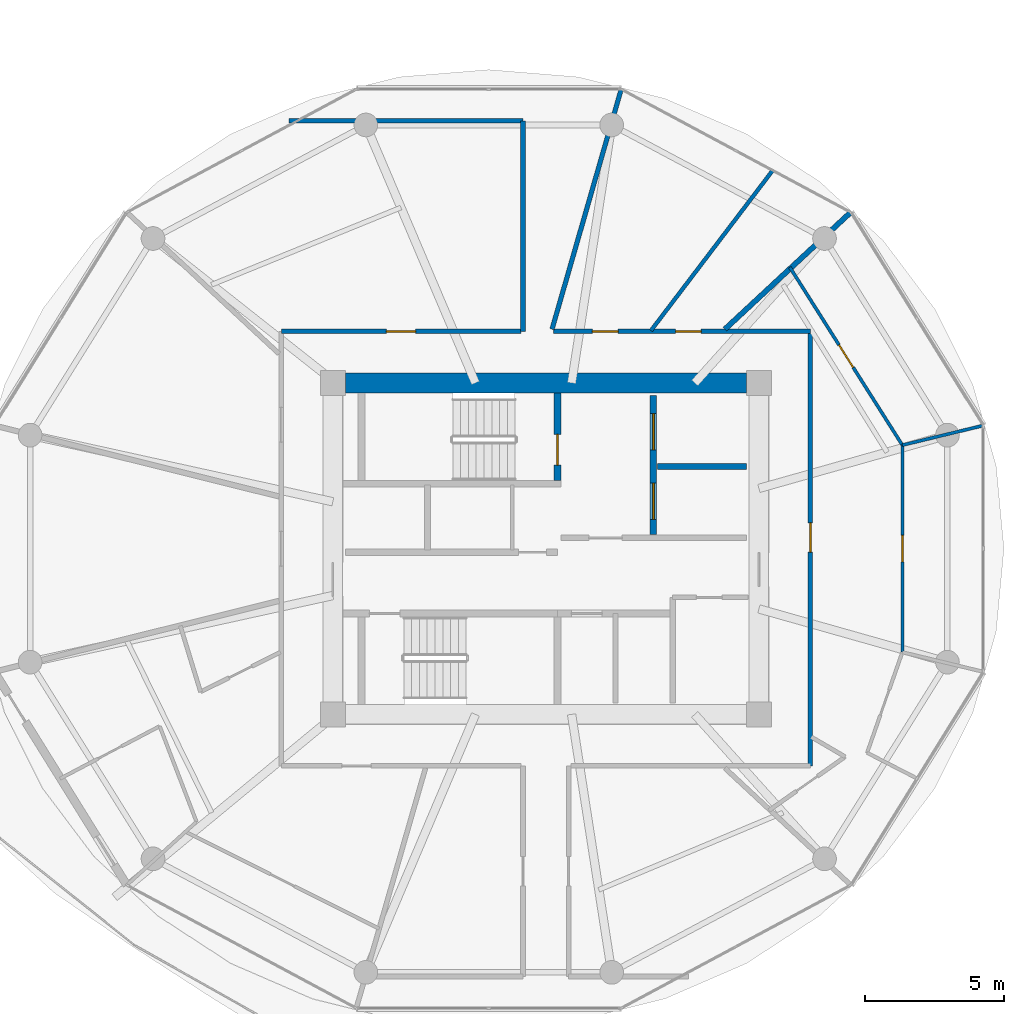
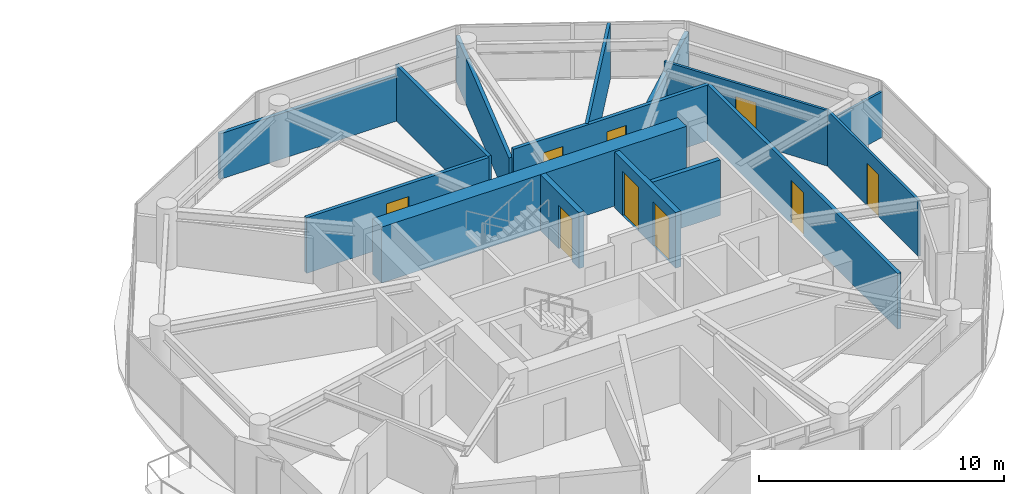
# One storey, part 19 of 23: 15 walls, 9 doors, 9 openings.
"""IFC4 building model written with IfcOpenShell, lengths in metres."""

from ifc_helpers import new_model, si_unit, direction, frame, frame_2d, origin, place, context, subcontext, project, spatial, rectangle, extrude, source, transform, mapped, material, layer, layer_set, type_object, type_shapes, element, fill, save


model = new_model("IFC4")

# Units and contexts
model_context = context("Model", 3, precision=1e-05, world=origin(), true_north=direction((0.0, 1.0)))
body_context = subcontext(model_context, "Body", "Model", "MODEL_VIEW")
ifc_project = project(units=[si_unit("LENGTHUNIT", "METRE"), si_unit("AREAUNIT", "SQUARE_METRE"), si_unit("VOLUMEUNIT", "CUBIC_METRE"), si_unit("PLANEANGLEUNIT", "RADIAN"), si_unit("MASSUNIT", "GRAM", prefix="KILO")], contexts=[model_context])

# Site, building, storey
site_placement = place(None, origin())
site = spatial("IfcSite", under=ifc_project, at=site_placement, CompositionType="ELEMENT")
building_placement = place(site_placement, origin())
building = spatial("IfcBuilding", under=site, at=building_placement, Name="Norrkilde Senior Care Towers", CompositionType="ELEMENT")
storey_placement = place(building_placement, frame((0.0, 0.0, 81.0)))
storey = spatial("IfcBuildingStorey", under=building, at=storey_placement, Name="L24", CompositionType="ELEMENT", Elevation=81.0)

# Wall
ifc_material_1 = material(Name="Concrete C60/75", Category="concrete")
ifc_layer_1 = layer(ifc_material_1, 0.719970703125)
ifc_layer_set_1 = layer_set([ifc_layer_1], Name="Concrete C60/75")
wall_type_1 = type_object("IfcWallType", Name="Core Shear Wall Z2 720", PredefinedType="SHEAR", material=ifc_layer_set_1)
shared_shape_1 = source(origin(), body_context, "Body", "SweptSolid", [
    extrude(rectangle(XDim=14.39990234375, YDim=0.719970703125, at=frame_2d((7.199951171875, 0.0))), origin(), (0.0, 0.0, 1.0), 2.7900390625),
])
type_shapes(wall_type_1, [shared_shape_1])
wall_1_placement = place(storey_placement, frame((20.800048828125, 5.949951171875, 0.0), z_axis=(0.0, 0.0, 1.0), x_axis=(1.0, 0.0, 0.0)))
element("IfcWall", 1, at=wall_1_placement, inside=storey, type_object=wall_type_1, Name="L24 Core E North Shear Wall", PredefinedType="SHEAR", context=body_context, shape_type="MappedRepresentation", body=[
    mapped(shared_shape_1, transform((0.0, 0.0, 0.0), x_axis=(1.0, 0.0, 0.0), y_axis=(0.0, 1.0, 0.0), z_axis=(0.0, 0.0, 1.0), scale=1.0)),
])

# Wall, openings, doors
ifc_material_2 = material(Name="Concrete C45/55", Category="concrete")
ifc_layer_2 = layer(ifc_material_2, 0.239990234375)
ifc_layer_set_2 = layer_set([ifc_layer_2], Name="Concrete C45/55")
wall_type_2 = type_object("IfcWallType", Name="Lift and Plant Rated Enclosure Partition 240", PredefinedType="PARTITIONING", material=ifc_layer_set_2)
shared_shape_2 = source(origin(), body_context, "Body", "SweptSolid", [
    extrude(rectangle(XDim=5.0, YDim=0.239990234375, at=frame_2d((2.5, 0.0))), origin(), (0.0, 0.0, 1.0), 2.77490234375),
])
type_shapes(wall_type_2, [shared_shape_2])
wall_2_placement = place(storey_placement, frame((31.860107421875, 0.5, 0.0), z_axis=(0.0, 0.0, 1.0), x_axis=(0.0, 1.0, 0.0)))
wall_2 = element("IfcWall", 2, at=wall_2_placement, inside=storey, type_object=wall_type_2, Name="WL-INT-L24-E-FFLE", PredefinedType="PARTITIONING", context=body_context, shape_type="MappedRepresentation", body=[
    mapped(shared_shape_2, transform((0.0, 0.0, 0.0), x_axis=(1.0, 0.0, 0.0), y_axis=(0.0, 1.0, 0.0), z_axis=(0.0, 0.0, 1.0), scale=1.0)),
])
opening_1_placement = place(wall_2_placement, frame((3.050048828125, 0.0, 0.0)))
opening_1 = element("IfcOpeningElement", 3, at=opening_1_placement, cuts=wall_2, Name="Opening LD-02", PredefinedType="OPENING", context=body_context, shape_type="SweptSolid", body=[
    extrude(rectangle(XDim=1.300048828125, YDim=2.199951171875, at=frame_2d((0.64990234375, 1.10009765625))), frame((0.0, 0.1298828125, 0.0), z_axis=(0.0, -1.0, 0.0), x_axis=(1.0, 0.0, 0.0)), (0.0, 0.0, 1.0), 0.260009765625),
])
opening_2_placement = place(wall_2_placement, frame((0.550048828125, 0.0, 0.0)))
opening_2 = element("IfcOpeningElement", 4, at=opening_2_placement, cuts=wall_2, Name="Opening LD-02", PredefinedType="OPENING", context=body_context, shape_type="SweptSolid", body=[
    extrude(rectangle(XDim=1.300048828125, YDim=2.199951171875, at=frame_2d((0.64990234375, 1.10009765625))), frame((0.0, 0.1298828125, 0.0), z_axis=(0.0, -1.0, 0.0), x_axis=(1.0, 0.0, 0.0)), (0.0, 0.0, 1.0), 0.260009765625),
])
ifc_material_3 = material(Name="Stainless Steel", Category="steel")
door_type_1 = type_object("IfcDoorType", Name="Stretcher and FFL Landing Sliding Door 1300x2200", OperationType="NOTDEFINED", PredefinedType="DOOR", material=ifc_material_3)
shared_shape_3 = source(origin(), body_context, "Body", "SweptSolid", [
    extrude(rectangle(XDim=1.300048828125, YDim=2.199951171875, at=frame_2d((0.64990234375, 1.10009765625))), frame((0.0, 0.02490234375, 0.0), z_axis=(0.0, -1.0, 0.0), x_axis=(1.0, 0.0, 0.0)), (0.0, 0.0, 1.0), 0.050048828125),
])
type_shapes(door_type_1, [shared_shape_3])
door_1_placement = place(opening_1_placement, origin())
door_1 = element("IfcDoor", 5, at=door_1_placement, inside=storey, type_object=door_type_1, Name="L24 Firefighting Lift E1 Landing Door", OperationType="SLIDING_TO_LEFT", OverallHeight=2.199951171875, OverallWidth=1.300048828125, PredefinedType="DOOR", context=body_context, shape_type="MappedRepresentation", body=[
    mapped(shared_shape_3, transform((0.0, 0.0, 0.0), x_axis=(1.0, 0.0, 0.0), y_axis=(0.0, 1.0, 0.0), z_axis=(0.0, 0.0, 1.0), scale=1.0)),
])
fill(opening_1, door_1)
door_2_placement = place(opening_2_placement, origin())
door_2 = element("IfcDoor", 6, at=door_2_placement, inside=storey, type_object=door_type_1, Name="L24 Stretcher Lift E1 Landing Door", OperationType="SLIDING_TO_RIGHT", OverallHeight=2.199951171875, OverallWidth=1.300048828125, PredefinedType="DOOR", context=body_context, shape_type="MappedRepresentation", body=[
    mapped(shared_shape_3, transform((0.0, 0.0, 0.0), x_axis=(1.0, 0.0, 0.0), y_axis=(0.0, 1.0, 0.0), z_axis=(0.0, 0.0, 1.0), scale=1.0)),
])
fill(opening_2, door_2)

# Wall
ifc_layer_3 = layer(ifc_material_2, 0.199951171875)
ifc_layer_set_3 = layer_set([ifc_layer_3], Name="Concrete C45/55")
wall_type_3 = type_object("IfcWallType", Name="Shaft Division and Plant Partition 200", PredefinedType="PARTITIONING", material=ifc_layer_set_3)
shared_shape_4 = source(origin(), body_context, "Body", "SweptSolid", [
    extrude(rectangle(XDim=3.199951171875, YDim=0.199951171875, at=frame_2d((1.60009765625, 0.0))), origin(), (0.0, 0.0, 1.0), 2.77490234375),
])
type_shapes(wall_type_3, [shared_shape_4])
wall_3_placement = place(storey_placement, frame((32.0, 2.949951171875, 0.0), z_axis=(0.0, 0.0, 1.0), x_axis=(1.0, 0.0, 0.0)))
element("IfcWall", 7, at=wall_3_placement, inside=storey, type_object=wall_type_3, Name="WL-INT-L24-E-FFLDIV", PredefinedType="PARTITIONING", context=body_context, shape_type="MappedRepresentation", body=[
    mapped(shared_shape_4, transform((0.0, 0.0, 0.0), x_axis=(1.0, 0.0, 0.0), y_axis=(0.0, 1.0, 0.0), z_axis=(0.0, 0.0, 1.0), scale=1.0)),
])

# Wall, opening, door
ifc_material_4 = material(Name="Gypsum Acoustic Board")
ifc_layer_4 = layer(ifc_material_4, 0.1650390625)
ifc_layer_set_4 = layer_set([ifc_layer_4], Name="Gypsum Acoustic Board")
wall_type_4 = type_object("IfcWallType", Name="Corridor Rated Partition 165", PredefinedType="PARTITIONING", material=ifc_layer_set_4)
shared_shape_5 = source(origin(), body_context, "Body", "SweptSolid", [
    extrude(rectangle(XDim=15.60009765625, YDim=0.1650390625, at=frame_2d((7.800048828125, 0.0))), origin(), (0.0, 0.0, 1.0), 2.77490234375),
])
wall_4_placement = place(storey_placement, frame((37.5, 7.800048828125, 0.0), z_axis=(0.0, 0.0, 1.0), x_axis=(0.0, -1.0, 0.0)))
wall_4 = element("IfcWall", 8, at=wall_4_placement, inside=storey, type_object=wall_type_4, Name="WL-INT-L24-E-CRW-E-0", PredefinedType="PARTITIONING", context=body_context, shape_type="MappedRepresentation", body=[
    mapped(shared_shape_5, transform((0.0, 0.0, 0.0), x_axis=(1.0, 0.0, 0.0), y_axis=(0.0, 1.0, 0.0), z_axis=(0.0, 0.0, 1.0), scale=1.0)),
])
opening_3_placement = place(wall_4_placement, frame((6.86962890625, 0.0, 0.0)))
opening_3 = element("IfcOpeningElement", 9, at=opening_3_placement, cuts=wall_4, Name="Opening D-06", PredefinedType="OPENING", context=body_context, shape_type="SweptSolid", body=[
    extrude(rectangle(XDim=1.050048828125, YDim=2.14990234375, at=frame_2d((0.52490234375, 1.074951171875))), frame((0.0, 0.092529296875, 0.0), z_axis=(0.0, -1.0, 0.0), x_axis=(1.0, 0.0, 0.0)), (0.0, 0.0, 1.0), 0.18505859375),
])
ifc_material_5 = material(Name="Nordic Ash Timber", Category="wood")
door_type_2 = type_object("IfcDoorType", Name="Apartment Entrance Fire Door 1050x2150", OperationType="NOTDEFINED", PredefinedType="DOOR", material=ifc_material_5)
shared_shape_6 = source(origin(), body_context, "Body", "SweptSolid", [
    extrude(rectangle(XDim=1.050048828125, YDim=2.14990234375, at=frame_2d((0.52490234375, 1.074951171875))), frame((0.0, 0.02490234375, 0.0), z_axis=(0.0, -1.0, 0.0), x_axis=(1.0, 0.0, 0.0)), (0.0, 0.0, 1.0), 0.050048828125),
])
type_shapes(door_type_2, [shared_shape_6])
door_3_placement = place(opening_3_placement, frame((1.050048828125, 0.0, 0.0), z_axis=(0.0, 0.0, 1.0), x_axis=(-1.0, 0.0, 0.0)))
door_3 = element("IfcDoor", 10, at=door_3_placement, inside=storey, type_object=door_type_2, Name="Apartment 24D Entrance Door", OperationType="SINGLE_SWING_LEFT", OverallHeight=2.14990234375, OverallWidth=1.050048828125, PredefinedType="DOOR", context=body_context, shape_type="MappedRepresentation", body=[
    mapped(shared_shape_6, transform((0.0, 0.0, 0.0), x_axis=(1.0, 0.0, 0.0), y_axis=(0.0, 1.0, 0.0), z_axis=(0.0, 0.0, 1.0), scale=1.0)),
])
fill(opening_3, door_3)

ifc_layer_5 = layer(ifc_material_2, 0.239990234375)
ifc_layer_set_5 = layer_set([ifc_layer_5], Name="Concrete C45/55")
wall_type_5 = type_object("IfcWallType", Name="Shaft and Stair Enclosure Wall 240", PredefinedType="PARTITIONING", material=ifc_layer_set_5)
shared_shape_7 = source(origin(), body_context, "Body", "SweptSolid", [
    extrude(rectangle(XDim=3.14013671875, YDim=0.239990234375, at=frame_2d((1.570068359375, 0.0))), origin(), (0.0, 0.0, 1.0), 2.7900390625),
])
type_shapes(wall_type_5, [shared_shape_7])
wall_5_placement = place(storey_placement, frame((28.419921875, 2.449951171875, 0.0), z_axis=(0.0, 0.0, 1.0), x_axis=(0.0, 1.0, 0.0)))
wall_5 = element("IfcWall", 11, at=wall_5_placement, inside=storey, type_object=wall_type_5, Name="WL-INT-L24-E-ST1E", PredefinedType="PARTITIONING", context=body_context, shape_type="MappedRepresentation", body=[
    mapped(shared_shape_7, transform((0.0, 0.0, 0.0), x_axis=(1.0, 0.0, 0.0), y_axis=(0.0, 1.0, 0.0), z_axis=(0.0, 0.0, 1.0), scale=1.0)),
])
opening_4_placement = place(wall_5_placement, frame((0.550048828125, 0.0, 0.0)))
opening_4 = element("IfcOpeningElement", 12, at=opening_4_placement, cuts=wall_5, Name="Opening D-03", PredefinedType="OPENING", context=body_context, shape_type="SweptSolid", body=[
    extrude(rectangle(XDim=1.10009765625, YDim=2.14990234375, at=frame_2d((0.550048828125, 1.074951171875))), frame((0.0, 0.1298828125, 0.0), z_axis=(0.0, -1.0, 0.0), x_axis=(1.0, 0.0, 0.0)), (0.0, 0.0, 1.0), 0.260009765625),
])
ifc_material_6 = material(Name="Galvanised Painted Steel", Category="steel")
door_type_3 = type_object("IfcDoorType", Name="Stairwell Protected Fire Door 1100x2150", OperationType="NOTDEFINED", PredefinedType="DOOR", material=ifc_material_6)
shared_shape_8 = source(origin(), body_context, "Body", "SweptSolid", [
    extrude(rectangle(XDim=1.10009765625, YDim=2.14990234375, at=frame_2d((0.550048828125, 1.074951171875))), frame((0.0, 0.02490234375, 0.0), z_axis=(0.0, -1.0, 0.0), x_axis=(1.0, 0.0, 0.0)), (0.0, 0.0, 1.0), 0.050048828125),
])
type_shapes(door_type_3, [shared_shape_8])
door_4_placement = place(opening_4_placement, origin())
door_4 = element("IfcDoor", 13, at=door_4_placement, inside=storey, type_object=door_type_3, Name="L24 Stair E1 Fire Door", OperationType="SINGLE_SWING_LEFT", OverallHeight=2.14990234375, OverallWidth=1.10009765625, PredefinedType="DOOR", context=body_context, shape_type="MappedRepresentation", body=[
    mapped(shared_shape_8, transform((0.0, 0.0, 0.0), x_axis=(1.0, 0.0, 0.0), y_axis=(0.0, 1.0, 0.0), z_axis=(0.0, 0.0, 1.0), scale=1.0)),
])
fill(opening_4, door_4)

shared_shape_9 = source(origin(), body_context, "Body", "SweptSolid", [
    extrude(rectangle(XDim=8.60009765625, YDim=0.1650390625, at=frame_2d((4.300048828125, 0.0))), origin(), (0.0, 0.0, 1.0), 2.77490234375),
])
wall_6_placement = place(storey_placement, frame((18.5, 7.800048828125, 0.0), z_axis=(0.0, 0.0, 1.0), x_axis=(1.0, 0.0, 0.0)))
wall_6 = element("IfcWall", 14, at=wall_6_placement, inside=storey, type_object=wall_type_4, Name="WL-INT-L24-E-CRW-N-0", PredefinedType="PARTITIONING", context=body_context, shape_type="MappedRepresentation", body=[
    mapped(shared_shape_9, transform((0.0, 0.0, 0.0), x_axis=(1.0, 0.0, 0.0), y_axis=(0.0, 1.0, 0.0), z_axis=(0.0, 0.0, 1.0), scale=1.0)),
])
opening_5_placement = place(wall_6_placement, frame((3.77490234375, 0.0, 0.0)))
opening_5 = element("IfcOpeningElement", 15, at=opening_5_placement, cuts=wall_6, Name="Opening D-06", PredefinedType="OPENING", context=body_context, shape_type="SweptSolid", body=[
    extrude(rectangle(XDim=1.050048828125, YDim=2.14990234375, at=frame_2d((0.52490234375, 1.074951171875))), frame((0.0, 0.092529296875, 0.0), z_axis=(0.0, -1.0, 0.0), x_axis=(1.0, 0.0, 0.0)), (0.0, 0.0, 1.0), 0.18505859375),
])
door_5_placement = place(opening_5_placement, frame((1.050048828125, 0.0, 0.0), z_axis=(0.0, 0.0, 1.0), x_axis=(-1.0, 0.0, 0.0)))
door_5 = element("IfcDoor", 16, at=door_5_placement, inside=storey, type_object=door_type_2, Name="L24 Reading Lounge NWL Door", OperationType="SINGLE_SWING_RIGHT", OverallHeight=2.14990234375, OverallWidth=1.050048828125, PredefinedType="DOOR", context=body_context, shape_type="MappedRepresentation", body=[
    mapped(shared_shape_6, transform((0.0, 0.0, 0.0), x_axis=(1.0, 0.0, 0.0), y_axis=(0.0, 1.0, 0.0), z_axis=(0.0, 0.0, 1.0), scale=1.0)),
])
fill(opening_5, door_5)

# Wall, openings, doors
shared_shape_10 = source(origin(), body_context, "Body", "SweptSolid", [
    extrude(rectangle(XDim=9.234130859375, YDim=0.1650390625, at=frame_2d((4.6171875, 0.0))), origin(), (0.0, 0.0, 1.0), 2.77490234375),
])
wall_7_placement = place(storey_placement, frame((28.265869140625, 7.800048828125, 0.0), z_axis=(0.0, 0.0, 1.0), x_axis=(1.0, 0.0, 0.0)))
wall_7 = element("IfcWall", 17, at=wall_7_placement, inside=storey, type_object=wall_type_4, Name="WL-INT-L24-E-CRW-N-1", PredefinedType="PARTITIONING", context=body_context, shape_type="MappedRepresentation", body=[
    mapped(shared_shape_10, transform((0.0, 0.0, 0.0), x_axis=(1.0, 0.0, 0.0), y_axis=(0.0, 1.0, 0.0), z_axis=(0.0, 0.0, 1.0), scale=1.0)),
])
opening_6_placement = place(wall_7_placement, frame((4.39208984375, 0.0, 0.0)))
opening_6 = element("IfcOpeningElement", 18, at=opening_6_placement, cuts=wall_7, Name="Opening D-08", PredefinedType="OPENING", context=body_context, shape_type="SweptSolid", body=[
    extrude(rectangle(XDim=0.919921875, YDim=2.10009765625, at=frame_2d((0.4599609375, 1.050048828125))), frame((0.0, 0.092529296875, 0.0), z_axis=(0.0, -1.0, 0.0), x_axis=(1.0, 0.0, 0.0)), (0.0, 0.0, 1.0), 0.18505859375),
])
opening_7_placement = place(wall_7_placement, frame((1.407958984375, 0.0, 0.0)))
opening_7 = element("IfcOpeningElement", 19, at=opening_7_placement, cuts=wall_7, Name="Opening D-08", PredefinedType="OPENING", context=body_context, shape_type="SweptSolid", body=[
    extrude(rectangle(XDim=0.919921875, YDim=2.10009765625, at=frame_2d((0.4599609375, 1.050048828125))), frame((0.0, 0.092529296875, 0.0), z_axis=(0.0, -1.0, 0.0), x_axis=(1.0, 0.0, 0.0)), (0.0, 0.0, 1.0), 0.18505859375),
])
door_type_4 = type_object("IfcDoorType", Name="Accessible Wet Room Door 920x2100", OperationType="NOTDEFINED", PredefinedType="DOOR", material=ifc_material_5)
shared_shape_11 = source(origin(), body_context, "Body", "SweptSolid", [
    extrude(rectangle(XDim=0.919921875, YDim=2.10009765625, at=frame_2d((0.4599609375, 1.050048828125))), frame((0.0, 0.02490234375, 0.0), z_axis=(0.0, -1.0, 0.0), x_axis=(1.0, 0.0, 0.0)), (0.0, 0.0, 1.0), 0.050048828125),
])
type_shapes(door_type_4, [shared_shape_11])
door_6_placement = place(opening_6_placement, frame((0.919921875, 0.0, 0.0), z_axis=(0.0, 0.0, 1.0), x_axis=(-1.0, 0.0, 0.0)))
door_6 = element("IfcDoor", 20, at=door_6_placement, inside=storey, type_object=door_type_4, Name="L24 Accessible Restroom Door", OperationType="SINGLE_SWING_RIGHT", OverallHeight=2.10009765625, OverallWidth=0.919921875, PredefinedType="DOOR", context=body_context, shape_type="MappedRepresentation", body=[
    mapped(shared_shape_11, transform((0.0, 0.0, 0.0), x_axis=(1.0, 0.0, 0.0), y_axis=(0.0, 1.0, 0.0), z_axis=(0.0, 0.0, 1.0), scale=1.0)),
])
fill(opening_6, door_6)
door_7_placement = place(opening_7_placement, frame((0.919921875, 0.0, 0.0), z_axis=(0.0, 0.0, 1.0), x_axis=(-1.0, 0.0, 0.0)))
door_7 = element("IfcDoor", 21, at=door_7_placement, inside=storey, type_object=door_type_4, Name="L24 Public Restroom Door", OperationType="SINGLE_SWING_LEFT", OverallHeight=2.10009765625, OverallWidth=0.919921875, PredefinedType="DOOR", context=body_context, shape_type="MappedRepresentation", body=[
    mapped(shared_shape_11, transform((0.0, 0.0, 0.0), x_axis=(1.0, 0.0, 0.0), y_axis=(0.0, 1.0, 0.0), z_axis=(0.0, 0.0, 1.0), scale=1.0)),
])
fill(opening_7, door_7)

# Walls
shared_shape_12 = source(origin(), body_context, "Body", "SweptSolid", [
    extrude(rectangle(XDim=8.9892578125, YDim=0.1650390625, at=frame_2d((4.49462890625, 0.0))), origin(), (0.0, 0.0, 1.0), 2.27490234375),
])
wall_8_placement = place(storey_placement, frame((28.221923828125, 7.8798828125, 0.0), z_axis=(0.0, 0.0, 1.0), x_axis=(0.27702323008, 0.960863221274, 0.0)))
element("IfcWall", 22, at=wall_8_placement, inside=storey, type_object=wall_type_4, Name="WL-INT-L24-E-DEM-02-0", PredefinedType="PARTITIONING", context=body_context, shape_type="MappedRepresentation", body=[
    mapped(shared_shape_12, transform((0.0, 0.0, 0.0), x_axis=(1.0, 0.0, 0.0), y_axis=(0.0, 1.0, 0.0), z_axis=(0.0, 0.0, 1.0), scale=1.0)),
])
shared_shape_13 = source(origin(), body_context, "Body", "SweptSolid", [
    extrude(rectangle(XDim=7.56005859375, YDim=0.1650390625, at=frame_2d((3.780029296875, 0.0))), origin(), (0.0, 0.0, 1.0), 2.77490234375),
])
wall_9_placement = place(storey_placement, frame((27.179931640625, 7.800048828125, 0.0), z_axis=(0.0, 0.0, 1.0), x_axis=(0.0, 1.0, 0.0)))
element("IfcWall", 23, at=wall_9_placement, inside=storey, type_object=wall_type_4, Name="WL-INT-L24-E-PKW-NWL", PredefinedType="PARTITIONING", context=body_context, shape_type="MappedRepresentation", body=[
    mapped(shared_shape_13, transform((0.0, 0.0, 0.0), x_axis=(1.0, 0.0, 0.0), y_axis=(0.0, 1.0, 0.0), z_axis=(0.0, 0.0, 1.0), scale=1.0)),
])
shared_shape_14 = source(origin(), body_context, "Body", "SweptSolid", [
    extrude(rectangle(XDim=8.406982421875, YDim=0.1650390625, at=frame_2d((4.20361328125, 0.0))), origin(), (0.0, 0.0, 1.0), 2.27490234375),
])
type_shapes(wall_type_4, [shared_shape_5, shared_shape_9, shared_shape_10, shared_shape_12, shared_shape_13, shared_shape_14])
wall_10_placement = place(storey_placement, frame((18.77294921875, 15.360107421875, 0.0), z_axis=(0.0, 0.0, 1.0), x_axis=(1.0, 0.0, 0.0)))
element("IfcWall", 24, at=wall_10_placement, inside=storey, type_object=wall_type_4, Name="WL-INT-L24-E-PKH-NWL-0", PredefinedType="PARTITIONING", context=body_context, shape_type="MappedRepresentation", body=[
    mapped(shared_shape_14, transform((0.0, 0.0, 0.0), x_axis=(1.0, 0.0, 0.0), y_axis=(0.0, 1.0, 0.0), z_axis=(0.0, 0.0, 1.0), scale=1.0)),
])
ifc_layer_6 = layer(ifc_material_4, 0.18994140625)
ifc_layer_set_6 = layer_set([ifc_layer_6], Name="Gypsum Acoustic Board")
wall_type_6 = type_object("IfcWallType", Name="Unit Demising Acoustic Wall 190", PredefinedType="PARTITIONING", material=ifc_layer_set_6)
shared_shape_15 = source(origin(), body_context, "Body", "SweptSolid", [
    extrude(rectangle(XDim=6.186767578125, YDim=0.18994140625, at=frame_2d((3.09326171875, 0.0))), origin(), (0.0, 0.0, 1.0), 2.27490234375),
])
type_shapes(wall_type_6, [shared_shape_15])
wall_11_placement = place(storey_placement, frame((34.428955078125, 7.8798828125, 0.0), z_axis=(0.0, 0.0, 1.0), x_axis=(0.732501077882, 0.680765870841, 0.0)))
element("IfcWall", 25, at=wall_11_placement, inside=storey, type_object=wall_type_6, Name="WL-INT-L24-E-DEM-01-0", PredefinedType="PARTITIONING", context=body_context, shape_type="MappedRepresentation", body=[
    mapped(shared_shape_15, transform((0.0, 0.0, 0.0), x_axis=(1.0, 0.0, 0.0), y_axis=(0.0, 1.0, 0.0), z_axis=(0.0, 0.0, 1.0), scale=1.0)),
])
ifc_layer_7 = layer(ifc_material_4, 0.139892578125)
ifc_layer_set_7 = layer_set([ifc_layer_7], Name="Gypsum Acoustic Board")
wall_type_7 = type_object("IfcWallType", Name="En-suite Wet Room Wall 140", PredefinedType="PARTITIONING", material=ifc_layer_set_7)
shared_shape_16 = source(origin(), body_context, "Body", "SweptSolid", [
    extrude(rectangle(XDim=7.24267578125, YDim=0.139892578125, at=frame_2d((3.621337890625, 0.0))), origin(), (0.0, 0.0, 1.0), 2.77490234375),
])
type_shapes(wall_type_7, [shared_shape_16])
wall_12_placement = place(storey_placement, frame((31.773681640625, 7.830078125, 0.0), z_axis=(0.0, 0.0, 1.0), x_axis=(0.605111472002, 0.796140757939, 0.0)))
element("IfcWall", 26, at=wall_12_placement, inside=storey, type_object=wall_type_7, Name="WL-INT-L24-E-MID-01", PredefinedType="PARTITIONING", context=body_context, shape_type="MappedRepresentation", body=[
    mapped(shared_shape_16, transform((0.0, 0.0, 0.0), x_axis=(1.0, 0.0, 0.0), y_axis=(0.0, 1.0, 0.0), z_axis=(0.0, 0.0, 1.0), scale=1.0)),
])

# Wall, opening, door
ifc_layer_8 = layer(ifc_material_4, 0.114990234375)
ifc_layer_set_8 = layer_set([ifc_layer_8], Name="Gypsum Acoustic Board")
wall_type_8 = type_object("IfcWallType", Name="Internal Room Partition 115", PredefinedType="PARTITIONING", material=ifc_layer_set_8)
shared_shape_17 = source(origin(), body_context, "Body", "SweptSolid", [
    extrude(rectangle(XDim=7.4375, YDim=0.114990234375, at=frame_2d((3.71875, 0.0))), origin(), (0.0, 0.0, 1.0), 2.77490234375),
])
wall_13_placement = place(storey_placement, frame((40.80126953125, -3.71875, 0.0), z_axis=(0.0, 0.0, 1.0), x_axis=(0.0, 1.0, 0.0)))
wall_13 = element("IfcWall", 27, at=wall_13_placement, inside=storey, type_object=wall_type_8, Name="WL-INT-L24-E-UBC-10-1", PredefinedType="PARTITIONING", context=body_context, shape_type="MappedRepresentation", body=[
    mapped(shared_shape_17, transform((0.0, 0.0, 0.0), x_axis=(1.0, 0.0, 0.0), y_axis=(0.0, 1.0, 0.0), z_axis=(0.0, 0.0, 1.0), scale=1.0)),
])
opening_8_placement = place(wall_13_placement, frame((3.24365234375, 0.0, 0.0)))
opening_8 = element("IfcOpeningElement", 28, at=opening_8_placement, cuts=wall_13, Name="Opening D-07", PredefinedType="OPENING", context=body_context, shape_type="SweptSolid", body=[
    extrude(rectangle(XDim=0.949951171875, YDim=2.10009765625, at=frame_2d((0.47509765625, 1.050048828125))), frame((0.0, 0.0673828125, 0.0), z_axis=(0.0, -1.0, 0.0), x_axis=(1.0, 0.0, 0.0)), (0.0, 0.0, 1.0), 0.135009765625),
])
door_type_5 = type_object("IfcDoorType", Name="Internal Suite Bedroom Door 950x2100", OperationType="NOTDEFINED", PredefinedType="DOOR", material=ifc_material_5)
shared_shape_18 = source(origin(), body_context, "Body", "SweptSolid", [
    extrude(rectangle(XDim=0.949951171875, YDim=2.10009765625, at=frame_2d((0.47509765625, 1.050048828125))), frame((0.0, 0.02490234375, 0.0), z_axis=(0.0, -1.0, 0.0), x_axis=(1.0, 0.0, 0.0)), (0.0, 0.0, 1.0), 0.050048828125),
])
type_shapes(door_type_5, [shared_shape_18])
door_8_placement = place(opening_8_placement, origin())
door_8 = element("IfcDoor", 29, at=door_8_placement, inside=storey, type_object=door_type_5, Name="Apartment 24D Bedroom 1 Door", OperationType="SINGLE_SWING_RIGHT", OverallHeight=2.10009765625, OverallWidth=0.949951171875, PredefinedType="DOOR", context=body_context, shape_type="MappedRepresentation", body=[
    mapped(shared_shape_18, transform((0.0, 0.0, 0.0), x_axis=(1.0, 0.0, 0.0), y_axis=(0.0, 1.0, 0.0), z_axis=(0.0, 0.0, 1.0), scale=1.0)),
])
fill(opening_8, door_8)

shared_shape_19 = source(origin(), body_context, "Body", "SweptSolid", [
    extrude(rectangle(XDim=7.5546875, YDim=0.114990234375, at=frame_2d((3.77734375, 0.0))), origin(), (0.0, 0.0, 1.0), 2.77490234375),
])
wall_14_placement = place(storey_placement, frame((40.7998046875, 3.71826171875, 0.0), z_axis=(0.0, 0.0, 1.0), x_axis=(-0.534546095992, 0.845139320621, 0.0)))
wall_14 = element("IfcWall", 30, at=wall_14_placement, inside=storey, type_object=wall_type_8, Name="WL-INT-L24-E-UBC-10-2", PredefinedType="PARTITIONING", context=body_context, shape_type="MappedRepresentation", body=[
    mapped(shared_shape_19, transform((0.0, 0.0, 0.0), x_axis=(1.0, 0.0, 0.0), y_axis=(0.0, 1.0, 0.0), z_axis=(0.0, 0.0, 1.0), scale=1.0)),
])
opening_9_placement = place(wall_14_placement, frame((3.302490234375, 0.0, 0.0)))
opening_9 = element("IfcOpeningElement", 31, at=opening_9_placement, cuts=wall_14, Name="Opening D-07", PredefinedType="OPENING", context=body_context, shape_type="SweptSolid", body=[
    extrude(rectangle(XDim=0.949951171875, YDim=2.10009765625, at=frame_2d((0.47509765625, 1.050048828125))), frame((0.0, 0.0673828125, 0.0), z_axis=(0.0, -1.0, 0.0), x_axis=(1.0, 0.0, 0.0)), (0.0, 0.0, 1.0), 0.135009765625),
])
door_9_placement = place(opening_9_placement, frame((0.949951171875, 0.0, 0.0), z_axis=(0.0, 0.0, 1.0), x_axis=(-1.0, 0.0, 0.0)))
door_9 = element("IfcDoor", 32, at=door_9_placement, inside=storey, type_object=door_type_5, Name="Apartment 24D Bedroom 2 Door", OperationType="SINGLE_SWING_LEFT", OverallHeight=2.10009765625, OverallWidth=0.949951171875, PredefinedType="DOOR", context=body_context, shape_type="MappedRepresentation", body=[
    mapped(shared_shape_18, transform((0.0, 0.0, 0.0), x_axis=(1.0, 0.0, 0.0), y_axis=(0.0, 1.0, 0.0), z_axis=(0.0, 0.0, 1.0), scale=1.0)),
])
fill(opening_9, door_9)

# Wall
shared_shape_20 = source(origin(), body_context, "Body", "SweptSolid", [
    extrude(rectangle(XDim=3.0078125, YDim=0.114990234375, at=frame_2d((1.50390625, 0.0))), origin(), (0.0, 0.0, 1.0), 2.27490234375),
])
type_shapes(wall_type_8, [shared_shape_17, shared_shape_19, shared_shape_20])
wall_15_placement = place(storey_placement, frame((40.7998046875, 3.71826171875, 0.0), z_axis=(0.0, 0.0, 1.0), x_axis=(0.971939021518, 0.235232945078, 0.0)))
element("IfcWall", 33, at=wall_15_placement, inside=storey, type_object=wall_type_8, Name="WL-INT-L24-E-UBR-10-2", PredefinedType="PARTITIONING", context=body_context, shape_type="MappedRepresentation", body=[
    mapped(shared_shape_20, transform((0.0, 0.0, 0.0), x_axis=(1.0, 0.0, 0.0), y_axis=(0.0, 1.0, 0.0), z_axis=(0.0, 0.0, 1.0), scale=1.0)),
])

save(model, "model.ifc")
